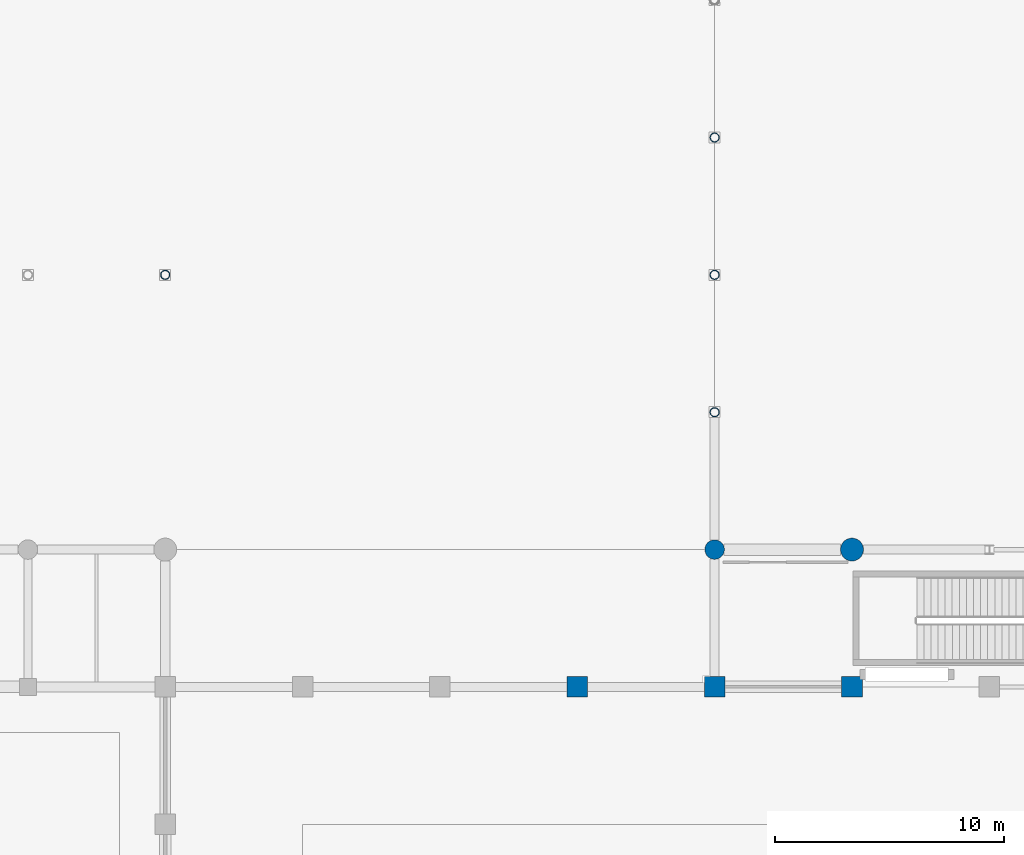
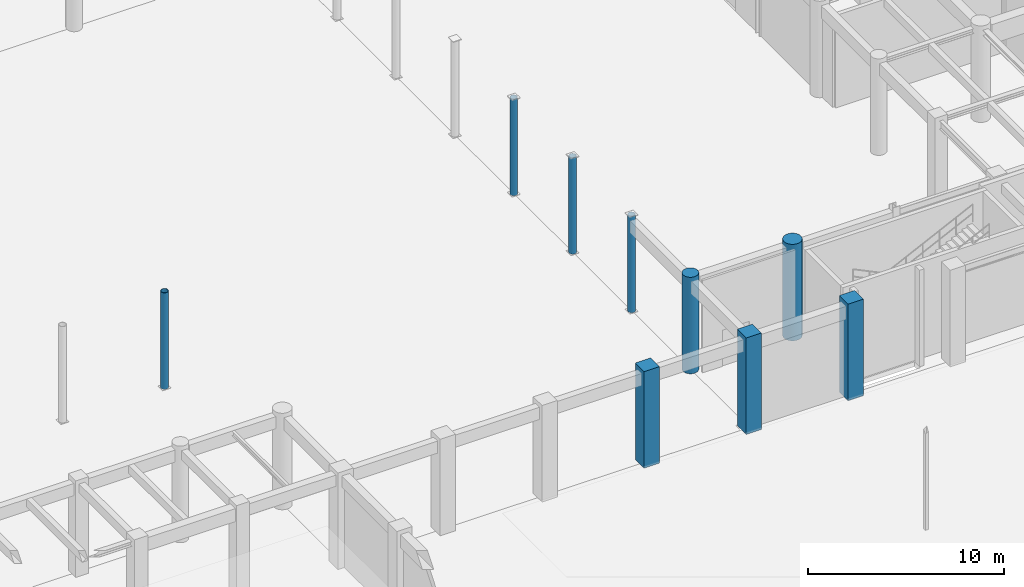
# One storey, part 7 of 106: 9 columns.
"""IFC4 building model written with IfcOpenShell, lengths in metres."""

from ifc_helpers import new_model, si_unit, direction, frame, origin, origin_2d, place, context, subcontext, project, spatial, rectangle, circle, hollow_circle, extrude, material, material_profile, profile_set, type_object, element, save


model = new_model("IFC4")

# Units and contexts
model_context = context("Model", 3, precision=1e-05, world=origin(), true_north=direction((0.0, 1.0)))
body_context = subcontext(model_context, "Body", "Model", "MODEL_VIEW")
ifc_project = project(units=[si_unit("LENGTHUNIT", "METRE"), si_unit("AREAUNIT", "SQUARE_METRE"), si_unit("VOLUMEUNIT", "CUBIC_METRE"), si_unit("PLANEANGLEUNIT", "RADIAN"), si_unit("MASSUNIT", "GRAM", prefix="KILO"), si_unit("THERMODYNAMICTEMPERATUREUNIT", "KELVIN"), si_unit("POWERUNIT", "WATT")], contexts=[model_context])

# Site, building, storey
site_placement = place(None, origin())
site = spatial("IfcSite", under=ifc_project, at=site_placement, CompositionType="ELEMENT")
building_placement = place(site_placement, origin())
building = spatial("IfcBuilding", under=site, at=building_placement, Name="Phaisarnlok Congress Hotel", CompositionType="ELEMENT")
storey_placement = place(building_placement, origin())
storey = spatial("IfcBuildingStorey", under=building, at=storey_placement, Name="L00", CompositionType="ELEMENT", Elevation=0.0)

# Columns
ifc_material_1 = material(Name="Concrete C50/60", Category="concrete")
ifc_material_profile_1 = material_profile(ifc_material_1, rectangle(XDim=0.89990234375, YDim=0.89990234375, at=origin_2d()), Name="RC 900x900")
ifc_profile_set_1 = profile_set([ifc_material_profile_1], Name="Concrete C50/60")
column_type_1 = type_object("IfcColumnType", Name="COL-RC-900", PredefinedType="COLUMN", material=ifc_profile_set_1)
for number, where, z_axis, x_axis, name in (
    (1, (114.0, 36.0, 0.0), (0.0, 0.0, 1.0), (1.0, 0.0, 0.0), "Column C-08 (L00)"),
    (2, (120.0, 36.0, 0.0), (0.0, 0.0, 1.0), (1.0, 0.0, 0.0), "Column C-08 (L00)"),
    (3, (126.0, 36.0, 0.0), (0.0, 0.0, 1.0), (1.0, 0.0, 0.0), "Column C-08 (L00)"),
):
    element("IfcColumn", number, at=place(storey_placement, frame(where, z_axis=z_axis, x_axis=x_axis)), inside=storey, type_object=column_type_1, Name=name, PredefinedType="COLUMN", context=body_context, shape_type="SweptSolid", body=[
        extrude(rectangle(XDim=0.89990234375, YDim=0.89990234375, at=origin_2d()), origin(), (0.0, 0.0, 1.0), 6.0),
    ])
ifc_material_profile_2 = material_profile(ifc_material_1, circle(Radius=0.5, at=origin_2d()), Name="RCC D1000")
ifc_profile_set_2 = profile_set([ifc_material_profile_2], Name="Concrete C50/60")
column_type_2 = type_object("IfcColumnType", Name="COL-RCC-1000", PredefinedType="COLUMN", material=ifc_profile_set_2)
column_1_placement = place(storey_placement, frame((126.0, 42.0, 0.0), z_axis=(0.0, 0.0, 1.0), x_axis=(1.0, 0.0, 0.0)))
element("IfcColumn", 4, at=column_1_placement, inside=storey, type_object=column_type_2, Name="Column C-15 (L00)", PredefinedType="COLUMN", context=body_context, shape_type="SweptSolid", body=[
    extrude(circle(Radius=0.5, at=origin_2d()), origin(), (0.0, 0.0, 1.0), 6.0),
])
ifc_material_profile_3 = material_profile(ifc_material_1, circle(Radius=0.425048828125, at=origin_2d()), Name="RCC D850")
ifc_profile_set_3 = profile_set([ifc_material_profile_3], Name="Concrete C50/60")
column_type_3 = type_object("IfcColumnType", Name="COL-RCC-850", PredefinedType="COLUMN", material=ifc_profile_set_3)
column_2_placement = place(storey_placement, frame((120.0, 42.0, 0.0), z_axis=(0.0, 0.0, 1.0), x_axis=(1.0, 0.0, 0.0)))
element("IfcColumn", 5, at=column_2_placement, inside=storey, type_object=column_type_3, Name="Column C-14 (L00)", PredefinedType="COLUMN", context=body_context, shape_type="SweptSolid", body=[
    extrude(circle(Radius=0.425048828125, at=origin_2d()), origin(), (0.0, 0.0, 1.0), 6.0),
])
ifc_material_2 = material(Name="Steel S355", Category="steel")
ifc_material_profile_4 = material_profile(ifc_material_2, hollow_circle(Radius=0.203125, WallThickness=0.02001953125, at=origin_2d()), Name="CHS 406.4x20")
ifc_profile_set_4 = profile_set([ifc_material_profile_4], Name="Steel S355")
column_type_4 = type_object("IfcColumnType", Name="COL-STL-CHS406-EXT", PredefinedType="COLUMN", material=ifc_profile_set_4)
for number, where, z_axis, x_axis, name in (
    (6, (120.0, 48.0, 0.0), (0.0, 0.0, 1.0), (1.0, 0.0, 0.0), "Column SC-02E (L00)"),
    (7, (120.0, 54.0, 0.0), (0.0, 0.0, 1.0), (1.0, 0.0, 0.0), "Column SC-02E (L00)"),
    (8, (120.0, 60.0, 0.0), (0.0, 0.0, 1.0), (1.0, 0.0, 0.0), "Column SC-02E (L00)"),
    (9, (96.0, 54.0, 0.0), (0.0, 0.0, 1.0), (1.0, 0.0, 0.0), "Cloister colonnade wing-truss anchor column SC-02E (L00)"),
):
    element("IfcColumn", number, at=place(storey_placement, frame(where, z_axis=z_axis, x_axis=x_axis)), inside=storey, type_object=column_type_4, Name=name, PredefinedType="COLUMN", context=body_context, shape_type="SweptSolid", body=[
        extrude(hollow_circle(Radius=0.203125, WallThickness=0.02001953125, at=origin_2d()), origin(), (0.0, 0.0, 1.0), 6.0),
    ])

save(model, "model.ifc")
